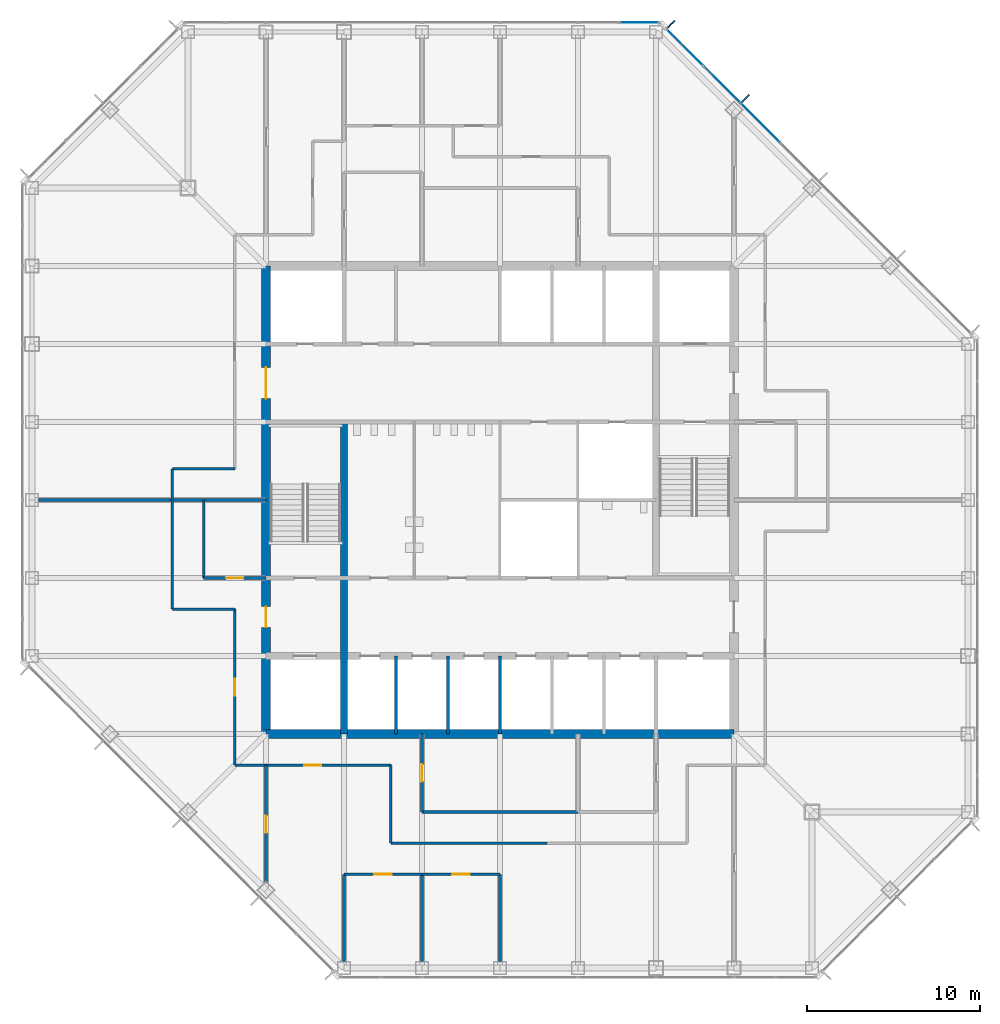
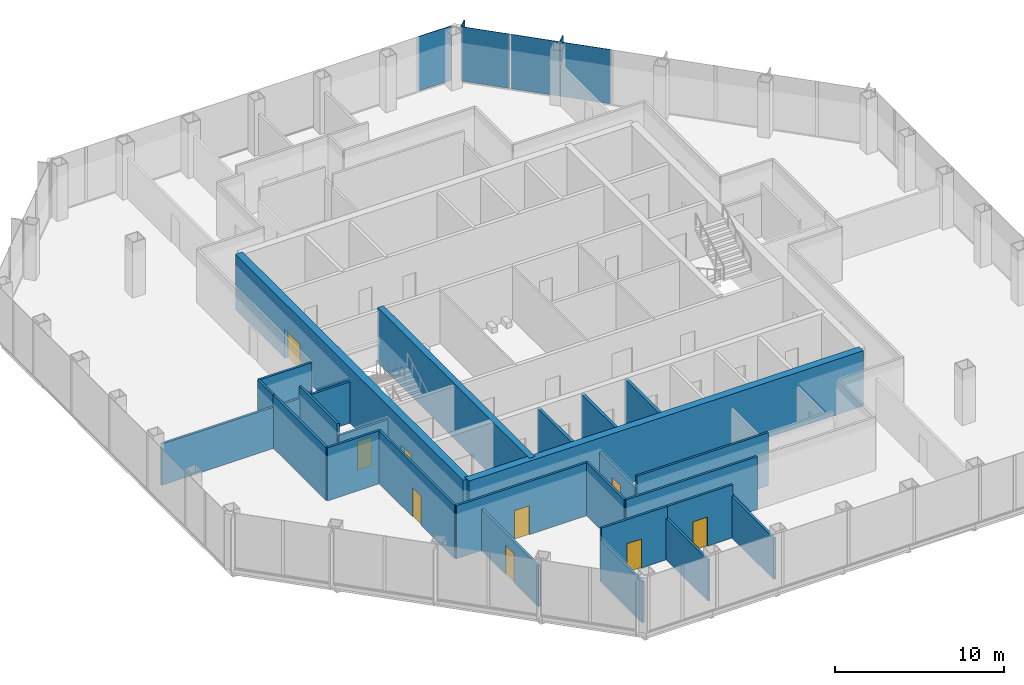
# One storey, part 8 of 13: 25 walls, 9 doors, 6 plates, 9 openings, 2 elements without a shape of their own.
"""IFC4 building model written with IfcOpenShell, lengths in metres."""

from ifc_helpers import new_model, si_unit, direction, frame, frame_2d, origin, origin_2d, place, context, subcontext, project, spatial, rectangle, extrude, material, layer, layer_set, type_object, element, fill, aggregate, save


model = new_model("IFC4")

# Units and contexts
model_context = context("Model", 3, precision=1e-05, world=origin(), true_north=direction((0.0, 1.0)))
body_context = subcontext(model_context, "Body", "Model", "MODEL_VIEW")
ifc_project = project(units=[si_unit("LENGTHUNIT", "METRE"), si_unit("AREAUNIT", "SQUARE_METRE"), si_unit("VOLUMEUNIT", "CUBIC_METRE"), si_unit("PLANEANGLEUNIT", "RADIAN"), si_unit("MASSUNIT", "GRAM", prefix="KILO")], contexts=[model_context])

# Site, building, storey
site_placement = place(None, origin())
site = spatial("IfcSite", under=ifc_project, at=site_placement, CompositionType="ELEMENT")
building_placement = place(site_placement, origin())
building = spatial("IfcBuilding", under=site, at=building_placement, Name="Corais Broadcast Tower", CompositionType="ELEMENT")
storey_placement = place(building_placement, frame((0.0, 0.0, 119.60009765625)))
storey = spatial("IfcBuildingStorey", under=building, at=storey_placement, Name="L26", CompositionType="ELEMENT", Elevation=119.60009765625)

# Curtain wall, plates
ifc_material_1 = material(Name="Aluminium and glass", Category="aluminium")
curtain_wall_type = type_object("IfcCurtainWallType", Name="Unitised fritted curtain wall CW2", PredefinedType="NOTDEFINED", material=ifc_material_1)
curtain_wall_1_placement = place(storey_placement, origin())
curtain_wall_1 = element("IfcCurtainWall", 1, at=curtain_wall_1_placement, inside=storey, type_object=curtain_wall_type, Name="CW2 curtain wall L26 5", PredefinedType="NOTDEFINED")
ifc_material_2 = material(Name="Ceramic-fritted laminated glass", Category="glass")
ifc_layer_1 = layer(ifc_material_2, 0.028076171875)
ifc_layer_set_1 = layer_set([ifc_layer_1], Name="Ceramic-fritted laminated glass")
plate_type_1 = type_object("IfcPlateType", Name="Fritted glass panel CW2", PredefinedType="CURTAIN_PANEL", material=ifc_layer_set_1)
plate_1_placement = place(storey_placement, frame((37.669677734375, 53.108154296875, 0.06494140625), z_axis=(0.0, 0.0, 1.0), x_axis=(0.707106781187, -0.707106781187, 0.0)))
plate_1 = element("IfcPlate", 2, at=plate_1_placement, type_object=plate_type_1, Name="CW2 panel 1", PredefinedType="CURTAIN_PANEL", context=body_context, shape_type="SweptSolid", body=[
    extrude(rectangle(XDim=2.9482421875, YDim=0.028076171875, at=origin_2d()), origin(), (0.0, 0.0, 1.0), 3.93505859375),
])
plate_2_placement = place(storey_placement, frame((42.013916015625, 48.763916015625, 0.06494140625), z_axis=(0.0, 0.0, 1.0), x_axis=(0.707106781187, -0.707106781187, 0.0)))
plate_2 = element("IfcPlate", 3, at=plate_2_placement, type_object=plate_type_1, Name="CW2 panel 3", PredefinedType="CURTAIN_PANEL", context=body_context, shape_type="SweptSolid", body=[
    extrude(rectangle(XDim=3.116943359375, YDim=0.028076171875, at=origin_2d()), origin(), (0.0, 0.0, 1.0), 3.93505859375),
])

# Curtain wall, plate
curtain_wall_2_placement = place(storey_placement, origin())
curtain_wall_2 = element("IfcCurtainWall", 4, at=curtain_wall_2_placement, inside=storey, type_object=curtain_wall_type, Name="CW2 curtain wall L26 4", PredefinedType="NOTDEFINED")
ifc_material_3 = material(Name="Clear laminated glass", Category="glass")
ifc_layer_2 = layer(ifc_material_3, 0.031982421875)
ifc_layer_set_2 = layer_set([ifc_layer_2], Name="Clear laminated glass")
plate_type_2 = type_object("IfcPlateType", Name="Operable glass panel CW2", PredefinedType="CURTAIN_PANEL", material=ifc_layer_set_2)
plate_3_placement = place(storey_placement, frame((35.029541015625, 54.550048828125, 0.06494140625), z_axis=(0.0, 0.0, 1.0), x_axis=(1.0, 0.0, 0.0)))
plate_3 = element("IfcPlate", 5, at=plate_3_placement, type_object=plate_type_2, Name="CW2 operable panel 8", PredefinedType="CURTAIN_PANEL", context=body_context, shape_type="SweptSolid", body=[
    extrude(rectangle(XDim=2.266357421875, YDim=0.031982421875, at=origin_2d()), origin(), (0.0, 0.0, 1.0), 3.93505859375),
])
aggregate(curtain_wall_2, [plate_3])

# Plate
plate_4_placement = place(storey_placement, frame((39.81201171875, 50.9658203125, 0.06494140625), z_axis=(0.0, 0.0, 1.0), x_axis=(0.707106781187, -0.707106781187, 0.0)))
plate_4 = element("IfcPlate", 6, at=plate_4_placement, type_object=plate_type_2, Name="CW2 operable panel 2", PredefinedType="CURTAIN_PANEL", context=body_context, shape_type="SweptSolid", body=[
    extrude(rectangle(XDim=2.98095703125, YDim=0.031982421875, at=origin_2d()), origin(), (0.0, 0.0, 1.0), 3.93505859375),
])

aggregate(curtain_wall_1, [plate_1, plate_4, plate_2])

# Plates
ifc_material_4 = material(Name="Granite stone cladding", Category="masonry")
ifc_layer_3 = layer(ifc_material_4, 0.080078125)
ifc_layer_set_3 = layer_set([ifc_layer_3], Name="Granite stone cladding")
plate_type_3 = type_object("IfcPlateType", Name="Stone screen fin 80x600", PredefinedType="USERDEFINED", material=ifc_layer_set_3)
for number, where, z_axis, x_axis, name in (
    (7, (36.8779296875, 54.447021484375, 0.0), (0.0, 0.0, 1.0), (0.707106781187, -0.707106781187, 0.0), "SF1 stone screen fin L26"),
    (8, (41.16259765625, 50.16259765625, 0.0), (0.0, 0.0, 1.0), (0.707106781187, -0.707106781187, 0.0), "SF1 stone screen fin L26"),
):
    element("IfcPlate", number, at=place(storey_placement, frame(where, z_axis=z_axis, x_axis=x_axis)), inside=storey, type_object=plate_type_3, Name=name, ObjectType="STONE SCREEN FIN", PredefinedType="USERDEFINED", context=body_context, shape_type="SweptSolid", body=[
        extrude(rectangle(XDim=0.080078125, YDim=0.60009765625, at=origin_2d()), origin(), (0.0, 0.0, 1.0), 4.0),
    ])

# Walls
ifc_material_5 = material(Name="Concrete C50/60", Category="concrete")
ifc_layer_4 = layer(ifc_material_5, 0.39990234375)
ifc_layer_set_4 = layer_set([ifc_layer_4], Name="Concrete C50/60")
wall_type_1 = type_object("IfcWallType", Name="Core wall 400", PredefinedType="SHEAR", material=ifc_layer_set_4)
wall_1_placement = place(storey_placement, frame((18.0, 13.5, 0.0), z_axis=(0.0, 0.0, 1.0), x_axis=(0.0, 1.0, 0.0)))
element("IfcWall", 9, at=wall_1_placement, inside=storey, type_object=wall_type_1, Name="CR400 core wall X18A L26", PredefinedType="SHEAR", context=body_context, shape_type="SweptSolid", body=[
    extrude(rectangle(XDim=18.0, YDim=0.39990234375, at=frame_2d((9.0, 0.0))), origin(), (0.0, 0.0, 1.0), 4.0),
])
ifc_material_6 = material(Name="Concrete C50/60", Category="concrete")
ifc_layer_5 = layer(ifc_material_6, 0.5)
ifc_layer_set_5 = layer_set([ifc_layer_5], Name="Concrete C50/60")
wall_type_2 = type_object("IfcWallType", Name="Core wall 500", PredefinedType="SHEAR", material=ifc_layer_set_5)
wall_2_placement = place(storey_placement, frame((13.5, 13.5, 0.0), z_axis=(0.0, 0.0, 1.0), x_axis=(1.0, 0.0, 0.0)))
element("IfcWall", 10, at=wall_2_placement, inside=storey, type_object=wall_type_2, Name="CR500 core wall S L26", PredefinedType="SHEAR", context=body_context, shape_type="SweptSolid", body=[
    extrude(rectangle(XDim=27.0, YDim=0.5, at=frame_2d((13.5, 0.0))), origin(), (0.0, 0.0, 1.0), 4.0),
])

# Wall, openings, doors
wall_3_placement = place(storey_placement, frame((13.5, 40.5, 0.0), z_axis=(0.0, 0.0, 1.0), x_axis=(0.0, -1.0, 0.0)))
wall_3 = element("IfcWall", 11, at=wall_3_placement, inside=storey, type_object=wall_type_2, Name="CR500 core wall W L26", PredefinedType="SHEAR", context=body_context, shape_type="SweptSolid", body=[
    extrude(rectangle(XDim=27.0, YDim=0.5, at=frame_2d((13.5, 0.0))), origin(), (0.0, 0.0, 1.0), 4.0),
])
opening_1_placement = place(wall_3_placement, frame((19.64990234375, 0.0, 0.0)))
opening_1 = element("IfcOpeningElement", 12, at=opening_1_placement, cuts=wall_3, Name="Opening FD1", PredefinedType="OPENING", context=body_context, shape_type="SweptSolid", body=[
    extrude(rectangle(XDim=1.199951171875, YDim=2.10009765625, at=frame_2d((0.60009765625, 1.050048828125))), frame((0.0, 0.260009765625, 0.0), z_axis=(0.0, -1.0, 0.0), x_axis=(1.0, 0.0, 0.0)), (0.0, 0.0, 1.0), 0.52001953125),
])
opening_2_placement = place(wall_3_placement, frame((5.85009765625, 0.0, 0.0)))
opening_2 = element("IfcOpeningElement", 13, at=opening_2_placement, cuts=wall_3, Name="Opening FD2", PredefinedType="OPENING", context=body_context, shape_type="SweptSolid", body=[
    extrude(rectangle(XDim=1.800048828125, YDim=2.10009765625, at=frame_2d((0.89990234375, 1.050048828125))), frame((0.0, 0.260009765625, 0.0), z_axis=(0.0, -1.0, 0.0), x_axis=(1.0, 0.0, 0.0)), (0.0, 0.0, 1.0), 0.52001953125),
])
ifc_material_7 = material(Name="Steel fire door", Category="steel")
door_type_1 = type_object("IfcDoorType", Name="Fire door 1200x2100", OperationType="SINGLE_SWING_LEFT", PredefinedType="DOOR", material=ifc_material_7)
door_1_placement = place(opening_1_placement, origin())
door_1 = element("IfcDoor", 14, at=door_1_placement, inside=storey, type_object=door_type_1, Name="FD1 fire lobby A door L26", OperationType="SINGLE_SWING_RIGHT", OverallHeight=2.10009765625, OverallWidth=1.199951171875, PredefinedType="DOOR", context=body_context, shape_type="SweptSolid", body=[
    extrude(rectangle(XDim=1.199951171875, YDim=2.10009765625, at=frame_2d((0.60009765625, 1.050048828125))), frame((0.0, 0.02490234375, 0.0), z_axis=(0.0, -1.0, 0.0), x_axis=(1.0, 0.0, 0.0)), (0.0, 0.0, 1.0), 0.050048828125),
])
fill(opening_1, door_1)
ifc_material_8 = material(Name="Steel fire door", Category="steel")
door_type_2 = type_object("IfcDoorType", Name="Fire door pair 1800x2100", OperationType="DOUBLE_DOOR_SINGLE_SWING", PredefinedType="DOOR", material=ifc_material_8)
door_2_placement = place(opening_2_placement, origin())
door_2 = element("IfcDoor", 15, at=door_2_placement, inside=storey, type_object=door_type_2, Name="FD2 lift lobby door L26", OperationType="SINGLE_SWING_LEFT", OverallHeight=2.10009765625, OverallWidth=1.800048828125, PredefinedType="DOOR", context=body_context, shape_type="SweptSolid", body=[
    extrude(rectangle(XDim=1.800048828125, YDim=2.10009765625, at=frame_2d((0.89990234375, 1.050048828125))), frame((0.0, 0.02490234375, 0.0), z_axis=(0.0, -1.0, 0.0), x_axis=(1.0, 0.0, 0.0)), (0.0, 0.0, 1.0), 0.050048828125),
])
fill(opening_2, door_2)

# Wall
ifc_material_9 = material(Name="Two layers of fire-rated gypsum board each side on steel studs", Category="steel")
ifc_layer_6 = layer(ifc_material_9, 0.14990234375)
ifc_layer_set_6 = layer_set([ifc_layer_6], Name="Two layers of fire-rated gypsum board each side on steel studs")
wall_type_3 = type_object("IfcWallType", Name="Fire-rated partition 150 EI 60", PredefinedType="PARTITIONING", material=ifc_layer_set_6)
wall_4_placement = place(storey_placement, frame((0.385009765625, 27.0, 0.0), z_axis=(0.0, 0.0, 1.0), x_axis=(1.0, 0.0, 0.0)))
element("IfcWall", 16, at=wall_4_placement, inside=storey, type_object=wall_type_3, Name="IW7 tenancy wall L26", PredefinedType="PARTITIONING", context=body_context, shape_type="SweptSolid", body=[
    extrude(rectangle(XDim=13.114990234375, YDim=0.14990234375, at=frame_2d((6.5576171875, 0.0))), origin(), (0.0, 0.0, 1.0), 2.989013671875),
])

# Wall, opening, door
ifc_material_10 = material(Name="Gypsum board on steel studs", Category="steel")
ifc_layer_7 = layer(ifc_material_10, 0.14990234375)
ifc_layer_set_7 = layer_set([ifc_layer_7], Name="Gypsum board on steel studs")
wall_type_4 = type_object("IfcWallType", Name="Partition 150", PredefinedType="PARTITIONING", material=ifc_layer_set_7)
wall_5_placement = place(storey_placement, frame((11.699951171875, 11.699951171875, 0.0), z_axis=(0.0, 0.0, 1.0), x_axis=(1.0, 0.0, 0.0)))
wall_5 = element("IfcWall", 17, at=wall_5_placement, inside=storey, type_object=wall_type_4, Name="IW3 corridor wall L26", PredefinedType="PARTITIONING", context=body_context, shape_type="SweptSolid", body=[
    extrude(rectangle(XDim=9.0, YDim=0.14990234375, at=frame_2d((4.5, 0.0))), origin(), (0.0, 0.0, 1.0), 3.83984375),
])
opening_3_placement = place(wall_5_placement, frame((4.0, 0.0, 0.0)))
opening_3 = element("IfcOpeningElement", 18, at=opening_3_placement, cuts=wall_5, Name="Opening D1", PredefinedType="OPENING", context=body_context, shape_type="SweptSolid", body=[
    extrude(rectangle(XDim=1.0, YDim=2.10009765625, at=frame_2d((0.5, 1.050048828125))), frame((0.0, 0.0849609375, 0.0), z_axis=(0.0, -1.0, 0.0), x_axis=(1.0, 0.0, 0.0)), (0.0, 0.0, 1.0), 0.169921875),
])
ifc_material_11 = material(Name="Timber door", Category="wood")
door_type_3 = type_object("IfcDoorType", Name="Single door 1000x2100", OperationType="SINGLE_SWING_LEFT", PredefinedType="DOOR", material=ifc_material_11)
door_3_placement = place(opening_3_placement, origin())
door_3 = element("IfcDoor", 19, at=door_3_placement, inside=storey, type_object=door_type_3, Name="D1 workplace door L26", OperationType="SINGLE_SWING_LEFT", OverallHeight=2.10009765625, OverallWidth=1.0, PredefinedType="DOOR", context=body_context, shape_type="SweptSolid", body=[
    extrude(rectangle(XDim=1.0, YDim=2.10009765625, at=frame_2d((0.5, 1.050048828125))), frame((0.0, 0.02490234375, 0.0), z_axis=(0.0, -1.0, 0.0), x_axis=(1.0, 0.0, 0.0)), (0.0, 0.0, 1.0), 0.050048828125),
])
fill(opening_3, door_3)

wall_6_placement = place(storey_placement, frame((11.699951171875, 20.699951171875, 0.0), z_axis=(0.0, 0.0, 1.0), x_axis=(0.0, -1.0, 0.0)))
wall_6 = element("IfcWall", 20, at=wall_6_placement, inside=storey, type_object=wall_type_4, Name="IW3 corridor wall L26", PredefinedType="PARTITIONING", context=body_context, shape_type="SweptSolid", body=[
    extrude(rectangle(XDim=9.0, YDim=0.14990234375, at=frame_2d((4.5, 0.0))), origin(), (0.0, 0.0, 1.0), 3.83984375),
])
opening_4_placement = place(wall_6_placement, frame((4.0, 0.0, 0.0)))
opening_4 = element("IfcOpeningElement", 21, at=opening_4_placement, cuts=wall_6, Name="Opening D1", PredefinedType="OPENING", context=body_context, shape_type="SweptSolid", body=[
    extrude(rectangle(XDim=1.0, YDim=2.10009765625, at=frame_2d((0.5, 1.050048828125))), frame((0.0, 0.0849609375, 0.0), z_axis=(0.0, -1.0, 0.0), x_axis=(1.0, 0.0, 0.0)), (0.0, 0.0, 1.0), 0.169921875),
])
door_4_placement = place(opening_4_placement, origin())
door_4 = element("IfcDoor", 22, at=door_4_placement, inside=storey, type_object=door_type_3, Name="D1 workplace door L26", OperationType="SINGLE_SWING_LEFT", OverallHeight=2.10009765625, OverallWidth=1.0, PredefinedType="DOOR", context=body_context, shape_type="SweptSolid", body=[
    extrude(rectangle(XDim=1.0, YDim=2.10009765625, at=frame_2d((0.5, 1.050048828125))), frame((0.0, 0.02490234375, 0.0), z_axis=(0.0, -1.0, 0.0), x_axis=(1.0, 0.0, 0.0)), (0.0, 0.0, 1.0), 0.050048828125),
])
fill(opening_4, door_4)

# Walls
wall_7_placement = place(storey_placement, frame((20.699951171875, 7.199951171875, 0.0), z_axis=(0.0, 0.0, 1.0), x_axis=(1.0, 0.0, 0.0)))
element("IfcWall", 23, at=wall_7_placement, inside=storey, type_object=wall_type_4, Name="IW3 corridor wall L26", PredefinedType="PARTITIONING", context=body_context, shape_type="SweptSolid", body=[
    extrude(rectangle(XDim=9.0, YDim=0.14990234375, at=frame_2d((4.5, 0.0))), origin(), (0.0, 0.0, 1.0), 3.83984375),
])
wall_8_placement = place(storey_placement, frame((8.10009765625, 26.99951171875, 0.0), z_axis=(0.0, 0.0, 1.0), x_axis=(0.0, -1.0, 0.0)))
element("IfcWall", 24, at=wall_8_placement, inside=storey, type_object=wall_type_4, Name="IW3 corridor wall L26", PredefinedType="PARTITIONING", context=body_context, shape_type="SweptSolid", body=[
    extrude(rectangle(XDim=6.299560546875, YDim=0.14990234375, at=frame_2d((3.14990234375, 0.0))), origin(), (0.0, 0.0, 1.0), 3.83984375),
])
wall_9_placement = place(storey_placement, frame((20.699951171875, 11.699951171875, 0.0), z_axis=(0.0, 0.0, 1.0), x_axis=(0.0, -1.0, 0.0)))
element("IfcWall", 25, at=wall_9_placement, inside=storey, type_object=wall_type_4, Name="IW3 corridor wall L26", PredefinedType="PARTITIONING", context=body_context, shape_type="SweptSolid", body=[
    extrude(rectangle(XDim=4.5, YDim=0.14990234375, at=frame_2d((2.25, 0.0))), origin(), (0.0, 0.0, 1.0), 3.83984375),
])
for number, where, z_axis, x_axis, name in (
    (26, (8.10009765625, 20.699951171875, 0.0), (0.0, 0.0, 1.0), (1.0, 0.0, 0.0), "IW3 corridor wall L26"),
    (27, (11.699951171875, 28.800048828125, 0.0), (0.0, 0.0, 1.0), (-1.0, 0.0, 0.0), "IW3 corridor wall L26"),
):
    element("IfcWall", number, at=place(storey_placement, frame(where, z_axis=z_axis, x_axis=x_axis)), inside=storey, type_object=wall_type_4, Name=name, PredefinedType="PARTITIONING", context=body_context, shape_type="SweptSolid", body=[
        extrude(rectangle(XDim=3.599853515625, YDim=0.14990234375, at=frame_2d((1.7998046875, 0.0))), origin(), (0.0, 0.0, 1.0), 3.83984375),
    ])
wall_10_placement = place(storey_placement, frame((8.10009765625, 28.800048828125, 0.0), z_axis=(0.0, 0.0, 1.0), x_axis=(0.0, -1.0, 0.0)))
element("IfcWall", 28, at=wall_10_placement, inside=storey, type_object=wall_type_4, Name="IW3 corridor wall L26", PredefinedType="PARTITIONING", context=body_context, shape_type="SweptSolid", body=[
    extrude(rectangle(XDim=1.799560546875, YDim=0.14990234375, at=frame_2d((0.89990234375, 0.0))), origin(), (0.0, 0.0, 1.0), 3.83984375),
])
wall_11_placement = place(storey_placement, frame((22.5, 9.0, 0.0), z_axis=(0.0, 0.0, 1.0), x_axis=(1.0, 0.0, 0.0)))
element("IfcWall", 29, at=wall_11_placement, inside=storey, type_object=wall_type_4, Name="IW3 partition L26", PredefinedType="PARTITIONING", context=body_context, shape_type="SweptSolid", body=[
    extrude(rectangle(XDim=9.0, YDim=0.14990234375, at=frame_2d((4.5, 0.0))), origin(), (0.0, 0.0, 1.0), 3.83984375),
])

# Wall, opening, door
wall_12_placement = place(storey_placement, frame((22.5, 13.5, 0.0), z_axis=(0.0, 0.0, 1.0), x_axis=(0.0, -1.0, 0.0)))
wall_12 = element("IfcWall", 30, at=wall_12_placement, inside=storey, type_object=wall_type_4, Name="IW3 partition L26", PredefinedType="PARTITIONING", context=body_context, shape_type="SweptSolid", body=[
    extrude(rectangle(XDim=4.5, YDim=0.14990234375, at=frame_2d((2.25, 0.0))), origin(), (0.0, 0.0, 1.0), 2.989013671875),
])
opening_5_placement = place(wall_12_placement, frame((1.75, 0.0, 0.0)))
opening_5 = element("IfcOpeningElement", 31, at=opening_5_placement, cuts=wall_12, Name="Opening D1", PredefinedType="OPENING", context=body_context, shape_type="SweptSolid", body=[
    extrude(rectangle(XDim=1.0, YDim=2.10009765625, at=frame_2d((0.5, 1.050048828125))), frame((0.0, 0.0849609375, 0.0), z_axis=(0.0, -1.0, 0.0), x_axis=(1.0, 0.0, 0.0)), (0.0, 0.0, 1.0), 0.169921875),
])
door_5_placement = place(opening_5_placement, origin())
door_5 = element("IfcDoor", 32, at=door_5_placement, inside=storey, type_object=door_type_3, Name="D1 Meeting room door", OperationType="SINGLE_SWING_LEFT", OverallHeight=2.10009765625, OverallWidth=1.0, PredefinedType="DOOR", context=body_context, shape_type="SweptSolid", body=[
    extrude(rectangle(XDim=1.0, YDim=2.10009765625, at=frame_2d((0.5, 1.050048828125))), frame((0.0, 0.02490234375, 0.0), z_axis=(0.0, -1.0, 0.0), x_axis=(1.0, 0.0, 0.0)), (0.0, 0.0, 1.0), 0.050048828125),
])
fill(opening_5, door_5)

# Wall
wall_13_placement = place(storey_placement, frame((22.5, 0.385009765625, 0.0), z_axis=(0.0, 0.0, 1.0), x_axis=(0.0, 1.0, 0.0)))
element("IfcWall", 33, at=wall_13_placement, inside=storey, type_object=wall_type_4, Name="IW3 partition L26", PredefinedType="PARTITIONING", context=body_context, shape_type="SweptSolid", body=[
    extrude(rectangle(XDim=5.014892578125, YDim=0.14990234375, at=frame_2d((2.50732421875, 0.0))), origin(), (0.0, 0.0, 1.0), 2.989013671875),
])

# Wall, opening, door
wall_14_placement = place(storey_placement, frame((22.5, 5.39990234375, 0.0), z_axis=(0.0, 0.0, 1.0), x_axis=(-1.0, 0.0, 0.0)))
wall_14 = element("IfcWall", 34, at=wall_14_placement, inside=storey, type_object=wall_type_4, Name="IW3 partition L26", PredefinedType="PARTITIONING", context=body_context, shape_type="SweptSolid", body=[
    extrude(rectangle(XDim=4.5, YDim=0.14990234375, at=frame_2d((2.25, 0.0))), origin(), (0.0, 0.0, 1.0), 3.83984375),
])
opening_6_placement = place(wall_14_placement, frame((1.75, 0.0, 0.0)))
opening_6 = element("IfcOpeningElement", 35, at=opening_6_placement, cuts=wall_14, Name="Opening D1", PredefinedType="OPENING", context=body_context, shape_type="SweptSolid", body=[
    extrude(rectangle(XDim=1.0, YDim=2.10009765625, at=frame_2d((0.5, 1.050048828125))), frame((0.0, 0.0849609375, 0.0), z_axis=(0.0, -1.0, 0.0), x_axis=(1.0, 0.0, 0.0)), (0.0, 0.0, 1.0), 0.169921875),
])
door_6_placement = place(opening_6_placement, origin())
door_6 = element("IfcDoor", 36, at=door_6_placement, inside=storey, type_object=door_type_3, Name="D1 Office door", OperationType="SINGLE_SWING_LEFT", OverallHeight=2.10009765625, OverallWidth=1.0, PredefinedType="DOOR", context=body_context, shape_type="SweptSolid", body=[
    extrude(rectangle(XDim=1.0, YDim=2.10009765625, at=frame_2d((0.5, 1.050048828125))), frame((0.0, 0.02490234375, 0.0), z_axis=(0.0, -1.0, 0.0), x_axis=(1.0, 0.0, 0.0)), (0.0, 0.0, 1.0), 0.050048828125),
])
fill(opening_6, door_6)

# Walls
for number, where, z_axis, x_axis, name in (
    (37, (18.0, 5.39990234375, 0.0), (0.0, 0.0, 1.0), (0.0, -1.0, 0.0), "IW3 partition L26"),
    (38, (27.0, 0.385009765625, 0.0), (0.0, 0.0, 1.0), (0.0, 1.0, 0.0), "IW3 partition L26"),
):
    element("IfcWall", number, at=place(storey_placement, frame(where, z_axis=z_axis, x_axis=x_axis)), inside=storey, type_object=wall_type_4, Name=name, PredefinedType="PARTITIONING", context=body_context, shape_type="SweptSolid", body=[
        extrude(rectangle(XDim=5.014892578125, YDim=0.14990234375, at=frame_2d((2.50732421875, 0.0))), origin(), (0.0, 0.0, 1.0), 2.989013671875),
    ])

# Wall, opening, door
wall_15_placement = place(storey_placement, frame((27.0, 5.39990234375, 0.0), z_axis=(0.0, 0.0, 1.0), x_axis=(-1.0, 0.0, 0.0)))
wall_15 = element("IfcWall", 39, at=wall_15_placement, inside=storey, type_object=wall_type_4, Name="IW3 partition L26", PredefinedType="PARTITIONING", context=body_context, shape_type="SweptSolid", body=[
    extrude(rectangle(XDim=4.5, YDim=0.14990234375, at=frame_2d((2.25, 0.0))), origin(), (0.0, 0.0, 1.0), 3.83984375),
])
opening_7_placement = place(wall_15_placement, frame((1.75, 0.0, 0.0)))
opening_7 = element("IfcOpeningElement", 40, at=opening_7_placement, cuts=wall_15, Name="Opening D1", PredefinedType="OPENING", context=body_context, shape_type="SweptSolid", body=[
    extrude(rectangle(XDim=1.0, YDim=2.10009765625, at=frame_2d((0.5, 1.050048828125))), frame((0.0, 0.0849609375, 0.0), z_axis=(0.0, -1.0, 0.0), x_axis=(1.0, 0.0, 0.0)), (0.0, 0.0, 1.0), 0.169921875),
])
door_7_placement = place(opening_7_placement, origin())
door_7 = element("IfcDoor", 41, at=door_7_placement, inside=storey, type_object=door_type_3, Name="D1 Office door", OperationType="SINGLE_SWING_LEFT", OverallHeight=2.10009765625, OverallWidth=1.0, PredefinedType="DOOR", context=body_context, shape_type="SweptSolid", body=[
    extrude(rectangle(XDim=1.0, YDim=2.10009765625, at=frame_2d((0.5, 1.050048828125))), frame((0.0, 0.02490234375, 0.0), z_axis=(0.0, -1.0, 0.0), x_axis=(1.0, 0.0, 0.0)), (0.0, 0.0, 1.0), 0.050048828125),
])
fill(opening_7, door_7)

wall_16_placement = place(storey_placement, frame((9.89990234375, 22.5, 0.0), z_axis=(0.0, 0.0, 1.0), x_axis=(1.0, 0.0, 0.0)))
wall_16 = element("IfcWall", 42, at=wall_16_placement, inside=storey, type_object=wall_type_4, Name="IW3 partition L26", PredefinedType="PARTITIONING", context=body_context, shape_type="SweptSolid", body=[
    extrude(rectangle(XDim=3.60009765625, YDim=0.14990234375, at=frame_2d((1.800048828125, 0.0))), origin(), (0.0, 0.0, 1.0), 2.989013671875),
])
opening_8_placement = place(wall_16_placement, frame((1.300048828125, 0.0, 0.0)))
opening_8 = element("IfcOpeningElement", 43, at=opening_8_placement, cuts=wall_16, Name="Opening D1", PredefinedType="OPENING", context=body_context, shape_type="SweptSolid", body=[
    extrude(rectangle(XDim=1.0, YDim=2.10009765625, at=frame_2d((0.5, 1.050048828125))), frame((0.0, 0.0849609375, 0.0), z_axis=(0.0, -1.0, 0.0), x_axis=(1.0, 0.0, 0.0)), (0.0, 0.0, 1.0), 0.169921875),
])
door_8_placement = place(opening_8_placement, origin())
door_8 = element("IfcDoor", 44, at=door_8_placement, inside=storey, type_object=door_type_3, Name="D1 Pantry door", OperationType="SINGLE_SWING_LEFT", OverallHeight=2.10009765625, OverallWidth=1.0, PredefinedType="DOOR", context=body_context, shape_type="SweptSolid", body=[
    extrude(rectangle(XDim=1.0, YDim=2.10009765625, at=frame_2d((0.5, 1.050048828125))), frame((0.0, 0.02490234375, 0.0), z_axis=(0.0, -1.0, 0.0), x_axis=(1.0, 0.0, 0.0)), (0.0, 0.0, 1.0), 0.050048828125),
])
fill(opening_8, door_8)

# Wall
wall_17_placement = place(storey_placement, frame((9.89990234375, 27.0, 0.0), z_axis=(0.0, 0.0, 1.0), x_axis=(0.0, -1.0, 0.0)))
element("IfcWall", 45, at=wall_17_placement, inside=storey, type_object=wall_type_4, Name="IW3 partition L26", PredefinedType="PARTITIONING", context=body_context, shape_type="SweptSolid", body=[
    extrude(rectangle(XDim=4.5, YDim=0.14990234375, at=frame_2d((2.25, 0.0))), origin(), (0.0, 0.0, 1.0), 3.83984375),
])

# Wall, opening, door
wall_18_placement = place(storey_placement, frame((13.5, 4.89501953125, 0.0), z_axis=(0.0, 0.0, 1.0), x_axis=(0.0, 1.0, 0.0)))
wall_18 = element("IfcWall", 46, at=wall_18_placement, inside=storey, type_object=wall_type_4, Name="IW3 partition L26", PredefinedType="PARTITIONING", context=body_context, shape_type="SweptSolid", body=[
    extrude(rectangle(XDim=6.804931640625, YDim=0.14990234375, at=frame_2d((3.40234375, 0.0))), origin(), (0.0, 0.0, 1.0), 2.989013671875),
])
opening_9_placement = place(wall_18_placement, frame((2.902587890625, 0.0, 0.0)))
opening_9 = element("IfcOpeningElement", 47, at=opening_9_placement, cuts=wall_18, Name="Opening D1", PredefinedType="OPENING", context=body_context, shape_type="SweptSolid", body=[
    extrude(rectangle(XDim=1.0, YDim=2.10009765625, at=frame_2d((0.5, 1.050048828125))), frame((0.0, 0.0849609375, 0.0), z_axis=(0.0, -1.0, 0.0), x_axis=(1.0, 0.0, 0.0)), (0.0, 0.0, 1.0), 0.169921875),
])
door_9_placement = place(opening_9_placement, origin())
door_9 = element("IfcDoor", 48, at=door_9_placement, inside=storey, type_object=door_type_3, Name="D1 team room door L26", OperationType="SINGLE_SWING_LEFT", OverallHeight=2.10009765625, OverallWidth=1.0, PredefinedType="DOOR", context=body_context, shape_type="SweptSolid", body=[
    extrude(rectangle(XDim=1.0, YDim=2.10009765625, at=frame_2d((0.5, 1.050048828125))), frame((0.0, 0.02490234375, 0.0), z_axis=(0.0, -1.0, 0.0), x_axis=(1.0, 0.0, 0.0)), (0.0, 0.0, 1.0), 0.050048828125),
])
fill(opening_9, door_9)

# Walls
ifc_material_12 = material(Name="Concrete blockwork class A, grouted, two-hour", Category="masonry")
ifc_layer_8 = layer(ifc_material_12, 0.199951171875)
ifc_layer_set_8 = layer_set([ifc_layer_8], Name="Concrete blockwork class A, grouted, two-hour")
wall_type_5 = type_object("IfcWallType", Name="Shaft wall 200", PredefinedType="PARTITIONING", material=ifc_layer_set_8)
for number, where, z_axis, x_axis, name in (
    (49, (21.0, 13.5, 0.0), (0.0, 0.0, 1.0), (0.0, 1.0, 0.0), "IW1 shaft wall L26"),
    (50, (24.0, 13.5, 0.0), (0.0, 0.0, 1.0), (0.0, 1.0, 0.0), "IW1 shaft wall L26"),
    (51, (27.0, 13.5, 0.0), (0.0, 0.0, 1.0), (0.0, 1.0, 0.0), "IW1 shaft wall L26"),
):
    element("IfcWall", number, at=place(storey_placement, frame(where, z_axis=z_axis, x_axis=x_axis)), inside=storey, type_object=wall_type_5, Name=name, PredefinedType="PARTITIONING", context=body_context, shape_type="SweptSolid", body=[
        extrude(rectangle(XDim=4.5, YDim=0.199951171875, at=frame_2d((2.25, 0.0))), origin(), (0.0, 0.0, 1.0), 3.83984375),
    ])

save(model, "model.ifc")
